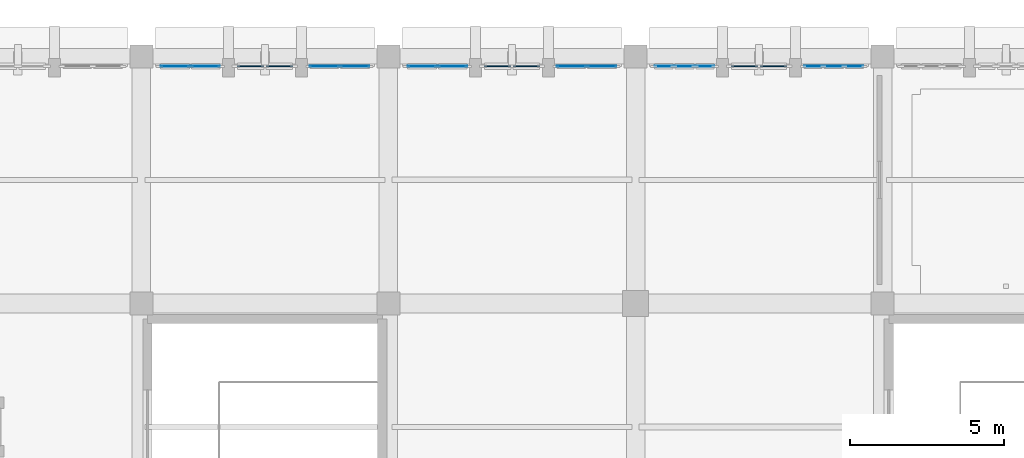
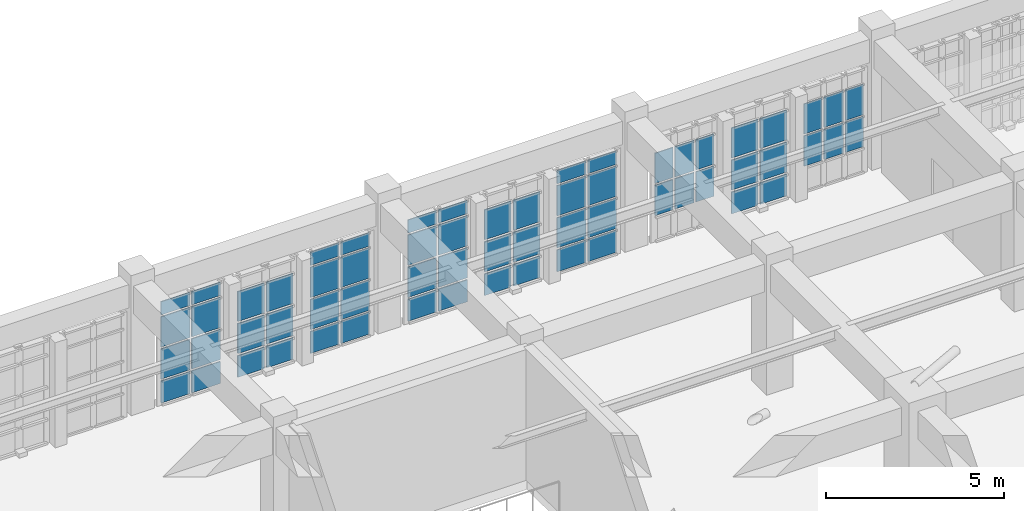
# One storey, part 106 of 155: 62 plates, 9 elements without a shape of their own.
"""IFC4 building model written with IfcOpenShell, lengths in metres."""

from ifc_helpers import new_model, si_unit, direction, frame, origin, origin_2d, place, context, subcontext, project, spatial, rectangle, extrude, material, layer, layer_set, type_object, element, aggregate, save


model = new_model("IFC4")

# Units and contexts
model_context = context("Model", 3, precision=1e-05, world=origin(), true_north=direction((0.0, 1.0)))
body_context = subcontext(model_context, "Body", "Model", "MODEL_VIEW")
ifc_project = project(units=[si_unit("LENGTHUNIT", "METRE"), si_unit("AREAUNIT", "SQUARE_METRE"), si_unit("VOLUMEUNIT", "CUBIC_METRE"), si_unit("PLANEANGLEUNIT", "RADIAN"), si_unit("MASSUNIT", "GRAM", prefix="KILO")], contexts=[model_context])

# Site, building, storey
site_placement = place(None, origin())
site = spatial("IfcSite", under=ifc_project, at=site_placement, CompositionType="ELEMENT")
building_placement = place(site_placement, origin())
building = spatial("IfcBuilding", under=site, at=building_placement, Name="Tazarka Park Arena", CompositionType="ELEMENT")
storey_placement = place(building_placement, frame((0.0, 0.0, 5.39990234375)))
storey = spatial("IfcBuildingStorey", under=building, at=storey_placement, Name="L01", CompositionType="ELEMENT", Elevation=5.39990234375)

# Curtain wall, plates
ifc_material_1 = material(Name="Aluminium and low-e glass", Category="aluminium")
ifc_layer_1 = layer(ifc_material_1, 0.179931640625, Name="Aluminium and low-e glass")
ifc_layer_set_1 = layer_set([ifc_layer_1], Name="Aluminium and low-e glass")
curtain_wall_type_1 = type_object("IfcCurtainWallType", Name="CW-09", PredefinedType="NOTDEFINED", material=ifc_layer_set_1)
curtain_wall_1_placement = place(storey_placement, origin())
curtain_wall_1 = element("IfcCurtainWall", 1, at=curtain_wall_1_placement, inside=storey, type_object=curtain_wall_type_1, Name="Curtain Wall CWA-L01-039", PredefinedType="NOTDEFINED")
ifc_material_2 = material(Name="Double low-e insulated glazing", Category="glass")
ifc_layer_2 = layer(ifc_material_2, 0.028076171875, Name="Double low-e insulated glazing")
ifc_layer_set_2 = layer_set([ifc_layer_2], Name="Double low-e insulated glazing")
plate_type_1 = type_object("IfcPlateType", Name="CWP-01", PredefinedType="CURTAIN_PANEL", material=ifc_layer_set_2)
plate_1_placement = place(storey_placement, frame((85.750244140625, 127.679931640625, 0.8828125), z_axis=(0.0, 0.0, 1.0), x_axis=(1.0, 0.0, 0.0)))
plate_1 = element("IfcPlate", 2, at=plate_1_placement, type_object=plate_type_1, Name="CW-09 panel 1.2", PredefinedType="CURTAIN_PANEL", context=body_context, shape_type="SweptSolid", body=[
    extrude(rectangle(XDim=0.5869140625, YDim=0.028076171875, at=origin_2d()), origin(), (0.0, 0.0, 1.0), 1.034912109375),
])
plate_2_placement = place(storey_placement, frame((85.750244140625, 127.679931640625, 1.982421875), z_axis=(0.0, 0.0, 1.0), x_axis=(1.0, 0.0, 0.0)))
plate_2 = element("IfcPlate", 3, at=plate_2_placement, type_object=plate_type_1, Name="CW-09 panel 1.3", PredefinedType="CURTAIN_PANEL", context=body_context, shape_type="SweptSolid", body=[
    extrude(rectangle(XDim=0.5869140625, YDim=0.028076171875, at=origin_2d()), origin(), (0.0, 0.0, 1.0), 1.034912109375),
])
plate_3_placement = place(storey_placement, frame((86.41845703125, 127.679931640625, 0.8828125), z_axis=(0.0, 0.0, 1.0), x_axis=(1.0, 0.0, 0.0)))
plate_3 = element("IfcPlate", 4, at=plate_3_placement, type_object=plate_type_1, Name="CW-09 panel 2.2", PredefinedType="CURTAIN_PANEL", context=body_context, shape_type="SweptSolid", body=[
    extrude(rectangle(XDim=0.619384765625, YDim=0.028076171875, at=origin_2d()), origin(), (0.0, 0.0, 1.0), 1.034912109375),
])
plate_4_placement = place(storey_placement, frame((86.41845703125, 127.679931640625, 1.982421875), z_axis=(0.0, 0.0, 1.0), x_axis=(1.0, 0.0, 0.0)))
plate_4 = element("IfcPlate", 5, at=plate_4_placement, type_object=plate_type_1, Name="CW-09 panel 2.3", PredefinedType="CURTAIN_PANEL", context=body_context, shape_type="SweptSolid", body=[
    extrude(rectangle(XDim=0.619384765625, YDim=0.028076171875, at=origin_2d()), origin(), (0.0, 0.0, 1.0), 1.034912109375),
])
plate_5_placement = place(storey_placement, frame((87.08642578125, 127.679931640625, 0.8828125), z_axis=(0.0, 0.0, 1.0), x_axis=(1.0, 0.0, 0.0)))
plate_5 = element("IfcPlate", 6, at=plate_5_placement, type_object=plate_type_1, Name="CW-09 panel 3.2", PredefinedType="CURTAIN_PANEL", context=body_context, shape_type="SweptSolid", body=[
    extrude(rectangle(XDim=0.5869140625, YDim=0.028076171875, at=origin_2d()), origin(), (0.0, 0.0, 1.0), 1.034912109375),
])
plate_6_placement = place(storey_placement, frame((87.08642578125, 127.679931640625, 1.982421875), z_axis=(0.0, 0.0, 1.0), x_axis=(1.0, 0.0, 0.0)))
plate_6 = element("IfcPlate", 7, at=plate_6_placement, type_object=plate_type_1, Name="CW-09 panel 3.3", PredefinedType="CURTAIN_PANEL", context=body_context, shape_type="SweptSolid", body=[
    extrude(rectangle(XDim=0.5869140625, YDim=0.028076171875, at=origin_2d()), origin(), (0.0, 0.0, 1.0), 1.034912109375),
])
aggregate(curtain_wall_1, [plate_1, plate_2, plate_3, plate_4, plate_5, plate_6])

ifc_material_3 = material(Name="Aluminium and low-e glass", Category="aluminium")
ifc_layer_3 = layer(ifc_material_3, 0.179931640625, Name="Aluminium and low-e glass")
ifc_layer_set_3 = layer_set([ifc_layer_3], Name="Aluminium and low-e glass")
curtain_wall_type_2 = type_object("IfcCurtainWallType", Name="CW-12", PredefinedType="NOTDEFINED", material=ifc_layer_set_3)
curtain_wall_2_placement = place(storey_placement, origin())
curtain_wall_2 = element("IfcCurtainWall", 8, at=curtain_wall_2_placement, inside=storey, type_object=curtain_wall_type_2, Name="Curtain Wall CWA-L01-042", PredefinedType="NOTDEFINED")
plate_7_placement = place(storey_placement, frame((77.92138671875, 127.679931640625, 0.065185546875), z_axis=(0.0, 0.0, 1.0), x_axis=(1.0, 0.0, 0.0)))
plate_7 = element("IfcPlate", 9, at=plate_7_placement, type_object=plate_type_1, Name="CW-12 panel 1.1", PredefinedType="CURTAIN_PANEL", context=body_context, shape_type="SweptSolid", body=[
    extrude(rectangle(XDim=0.92919921875, YDim=0.028076171875, at=origin_2d()), origin(), (0.0, 0.0, 1.0), 0.75244140625),
])
plate_8_placement = place(storey_placement, frame((77.92138671875, 127.679931640625, 0.8828125), z_axis=(0.0, 0.0, 1.0), x_axis=(1.0, 0.0, 0.0)))
plate_8 = element("IfcPlate", 10, at=plate_8_placement, type_object=plate_type_1, Name="CW-12 panel 1.2", PredefinedType="CURTAIN_PANEL", context=body_context, shape_type="SweptSolid", body=[
    extrude(rectangle(XDim=0.92919921875, YDim=0.028076171875, at=origin_2d()), origin(), (0.0, 0.0, 1.0), 1.034912109375),
])
plate_9_placement = place(storey_placement, frame((77.92138671875, 127.679931640625, 1.982421875), z_axis=(0.0, 0.0, 1.0), x_axis=(1.0, 0.0, 0.0)))
plate_9 = element("IfcPlate", 11, at=plate_9_placement, type_object=plate_type_1, Name="CW-12 panel 1.3", PredefinedType="CURTAIN_PANEL", context=body_context, shape_type="SweptSolid", body=[
    extrude(rectangle(XDim=0.92919921875, YDim=0.028076171875, at=origin_2d()), origin(), (0.0, 0.0, 1.0), 1.034912109375),
])
plate_10_placement = place(storey_placement, frame((77.92138671875, 127.679931640625, 3.08251953125), z_axis=(0.0, 0.0, 1.0), x_axis=(1.0, 0.0, 0.0)))
plate_10 = element("IfcPlate", 12, at=plate_10_placement, type_object=plate_type_1, Name="CW-12 panel 1.4", PredefinedType="CURTAIN_PANEL", context=body_context, shape_type="SweptSolid", body=[
    extrude(rectangle(XDim=0.92919921875, YDim=0.028076171875, at=origin_2d()), origin(), (0.0, 0.0, 1.0), 0.452392578125),
])
plate_11_placement = place(storey_placement, frame((78.91552734375, 127.679931640625, 0.065185546875), z_axis=(0.0, 0.0, 1.0), x_axis=(1.0, 0.0, 0.0)))
plate_11 = element("IfcPlate", 13, at=plate_11_placement, type_object=plate_type_1, Name="CW-12 panel 2.1", PredefinedType="CURTAIN_PANEL", context=body_context, shape_type="SweptSolid", body=[
    extrude(rectangle(XDim=0.92919921875, YDim=0.028076171875, at=origin_2d()), origin(), (0.0, 0.0, 1.0), 0.75244140625),
])
plate_12_placement = place(storey_placement, frame((78.91552734375, 127.679931640625, 0.8828125), z_axis=(0.0, 0.0, 1.0), x_axis=(1.0, 0.0, 0.0)))
plate_12 = element("IfcPlate", 14, at=plate_12_placement, type_object=plate_type_1, Name="CW-12 panel 2.2", PredefinedType="CURTAIN_PANEL", context=body_context, shape_type="SweptSolid", body=[
    extrude(rectangle(XDim=0.92919921875, YDim=0.028076171875, at=origin_2d()), origin(), (0.0, 0.0, 1.0), 1.034912109375),
])
plate_13_placement = place(storey_placement, frame((78.91552734375, 127.679931640625, 1.982421875), z_axis=(0.0, 0.0, 1.0), x_axis=(1.0, 0.0, 0.0)))
plate_13 = element("IfcPlate", 15, at=plate_13_placement, type_object=plate_type_1, Name="CW-12 panel 2.3", PredefinedType="CURTAIN_PANEL", context=body_context, shape_type="SweptSolid", body=[
    extrude(rectangle(XDim=0.92919921875, YDim=0.028076171875, at=origin_2d()), origin(), (0.0, 0.0, 1.0), 1.034912109375),
])
plate_14_placement = place(storey_placement, frame((78.91552734375, 127.679931640625, 3.08251953125), z_axis=(0.0, 0.0, 1.0), x_axis=(1.0, 0.0, 0.0)))
plate_14 = element("IfcPlate", 16, at=plate_14_placement, type_object=plate_type_1, Name="CW-12 panel 2.4", PredefinedType="CURTAIN_PANEL", context=body_context, shape_type="SweptSolid", body=[
    extrude(rectangle(XDim=0.92919921875, YDim=0.028076171875, at=origin_2d()), origin(), (0.0, 0.0, 1.0), 0.452392578125),
])
aggregate(curtain_wall_2, [plate_7, plate_8, plate_9, plate_10, plate_11, plate_12, plate_13, plate_14])

ifc_material_4 = material(Name="Aluminium and low-e glass", Category="aluminium")
ifc_layer_4 = layer(ifc_material_4, 0.179931640625, Name="Aluminium and low-e glass")
ifc_layer_set_4 = layer_set([ifc_layer_4], Name="Aluminium and low-e glass")
curtain_wall_type_3 = type_object("IfcCurtainWallType", Name="CW-15", PredefinedType="NOTDEFINED", material=ifc_layer_set_4)
curtain_wall_3_placement = place(storey_placement, origin())
curtain_wall_3 = element("IfcCurtainWall", 17, at=curtain_wall_3_placement, inside=storey, type_object=curtain_wall_type_3, Name="Curtain Wall CWA-L01-045", PredefinedType="NOTDEFINED")
plate_15_placement = place(storey_placement, frame((69.92138671875, 127.679931640625, 0.065185546875), z_axis=(0.0, 0.0, 1.0), x_axis=(1.0, 0.0, 0.0)))
plate_15 = element("IfcPlate", 18, at=plate_15_placement, type_object=plate_type_1, Name="CW-15 panel 1.1", PredefinedType="CURTAIN_PANEL", context=body_context, shape_type="SweptSolid", body=[
    extrude(rectangle(XDim=0.92919921875, YDim=0.028076171875, at=origin_2d()), origin(), (0.0, 0.0, 1.0), 0.75244140625),
])
plate_16_placement = place(storey_placement, frame((69.92138671875, 127.679931640625, 0.8828125), z_axis=(0.0, 0.0, 1.0), x_axis=(1.0, 0.0, 0.0)))
plate_16 = element("IfcPlate", 19, at=plate_16_placement, type_object=plate_type_1, Name="CW-15 panel 1.2", PredefinedType="CURTAIN_PANEL", context=body_context, shape_type="SweptSolid", body=[
    extrude(rectangle(XDim=0.92919921875, YDim=0.028076171875, at=origin_2d()), origin(), (0.0, 0.0, 1.0), 1.034912109375),
])
plate_17_placement = place(storey_placement, frame((69.92138671875, 127.679931640625, 1.982421875), z_axis=(0.0, 0.0, 1.0), x_axis=(1.0, 0.0, 0.0)))
plate_17 = element("IfcPlate", 20, at=plate_17_placement, type_object=plate_type_1, Name="CW-15 panel 1.3", PredefinedType="CURTAIN_PANEL", context=body_context, shape_type="SweptSolid", body=[
    extrude(rectangle(XDim=0.92919921875, YDim=0.028076171875, at=origin_2d()), origin(), (0.0, 0.0, 1.0), 1.034912109375),
])
plate_18_placement = place(storey_placement, frame((69.92138671875, 127.679931640625, 3.08251953125), z_axis=(0.0, 0.0, 1.0), x_axis=(1.0, 0.0, 0.0)))
plate_18 = element("IfcPlate", 21, at=plate_18_placement, type_object=plate_type_1, Name="CW-15 panel 1.4", PredefinedType="CURTAIN_PANEL", context=body_context, shape_type="SweptSolid", body=[
    extrude(rectangle(XDim=0.92919921875, YDim=0.028076171875, at=origin_2d()), origin(), (0.0, 0.0, 1.0), 0.452392578125),
])
plate_19_placement = place(storey_placement, frame((70.91552734375, 127.679931640625, 0.065185546875), z_axis=(0.0, 0.0, 1.0), x_axis=(1.0, 0.0, 0.0)))
plate_19 = element("IfcPlate", 22, at=plate_19_placement, type_object=plate_type_1, Name="CW-15 panel 2.1", PredefinedType="CURTAIN_PANEL", context=body_context, shape_type="SweptSolid", body=[
    extrude(rectangle(XDim=0.92919921875, YDim=0.028076171875, at=origin_2d()), origin(), (0.0, 0.0, 1.0), 0.75244140625),
])
plate_20_placement = place(storey_placement, frame((70.91552734375, 127.679931640625, 0.8828125), z_axis=(0.0, 0.0, 1.0), x_axis=(1.0, 0.0, 0.0)))
plate_20 = element("IfcPlate", 23, at=plate_20_placement, type_object=plate_type_1, Name="CW-15 panel 2.2", PredefinedType="CURTAIN_PANEL", context=body_context, shape_type="SweptSolid", body=[
    extrude(rectangle(XDim=0.92919921875, YDim=0.028076171875, at=origin_2d()), origin(), (0.0, 0.0, 1.0), 1.034912109375),
])
plate_21_placement = place(storey_placement, frame((70.91552734375, 127.679931640625, 1.982421875), z_axis=(0.0, 0.0, 1.0), x_axis=(1.0, 0.0, 0.0)))
plate_21 = element("IfcPlate", 24, at=plate_21_placement, type_object=plate_type_1, Name="CW-15 panel 2.3", PredefinedType="CURTAIN_PANEL", context=body_context, shape_type="SweptSolid", body=[
    extrude(rectangle(XDim=0.92919921875, YDim=0.028076171875, at=origin_2d()), origin(), (0.0, 0.0, 1.0), 1.034912109375),
])
plate_22_placement = place(storey_placement, frame((70.91552734375, 127.679931640625, 3.08251953125), z_axis=(0.0, 0.0, 1.0), x_axis=(1.0, 0.0, 0.0)))
plate_22 = element("IfcPlate", 25, at=plate_22_placement, type_object=plate_type_1, Name="CW-15 panel 2.4", PredefinedType="CURTAIN_PANEL", context=body_context, shape_type="SweptSolid", body=[
    extrude(rectangle(XDim=0.92919921875, YDim=0.028076171875, at=origin_2d()), origin(), (0.0, 0.0, 1.0), 0.452392578125),
])
aggregate(curtain_wall_3, [plate_15, plate_16, plate_17, plate_18, plate_19, plate_20, plate_21, plate_22])

ifc_material_5 = material(Name="Aluminium and low-e glass", Category="aluminium")
ifc_layer_5 = layer(ifc_material_5, 0.179931640625, Name="Aluminium and low-e glass")
ifc_layer_set_5 = layer_set([ifc_layer_5], Name="Aluminium and low-e glass")
curtain_wall_type_4 = type_object("IfcCurtainWallType", Name="CW-07", PredefinedType="NOTDEFINED", material=ifc_layer_set_5)
curtain_wall_4_placement = place(storey_placement, origin())
curtain_wall_4 = element("IfcCurtainWall", 26, at=curtain_wall_4_placement, inside=storey, type_object=curtain_wall_type_4, Name="Curtain Wall CWA-L01-037", PredefinedType="NOTDEFINED")
ifc_material_6 = material(Name="Triple acoustic solar glazing", Category="glass")
ifc_layer_6 = layer(ifc_material_6, 0.031982421875, Name="Triple acoustic solar glazing")
ifc_layer_set_6 = layer_set([ifc_layer_6], Name="Triple acoustic solar glazing")
plate_type_2 = type_object("IfcPlateType", Name="CWP-02", PredefinedType="CURTAIN_PANEL", material=ifc_layer_set_6)
plate_23_placement = place(storey_placement, frame((80.91357421875, 127.679931640625, 0.8828125), z_axis=(0.0, 0.0, 1.0), x_axis=(1.0, 0.0, 0.0)))
plate_23 = element("IfcPlate", 27, at=plate_23_placement, type_object=plate_type_2, Name="CW-07 panel 1.2", PredefinedType="CURTAIN_PANEL", context=body_context, shape_type="SweptSolid", body=[
    extrude(rectangle(XDim=0.5869140625, YDim=0.031982421875, at=origin_2d()), origin(), (0.0, 0.0, 1.0), 1.034912109375),
])
plate_24_placement = place(storey_placement, frame((80.91357421875, 127.679931640625, 1.982421875), z_axis=(0.0, 0.0, 1.0), x_axis=(1.0, 0.0, 0.0)))
plate_24 = element("IfcPlate", 28, at=plate_24_placement, type_object=plate_type_2, Name="CW-07 panel 1.3", PredefinedType="CURTAIN_PANEL", context=body_context, shape_type="SweptSolid", body=[
    extrude(rectangle(XDim=0.5869140625, YDim=0.031982421875, at=origin_2d()), origin(), (0.0, 0.0, 1.0), 1.034912109375),
])
plate_25_placement = place(storey_placement, frame((81.58154296875, 127.679931640625, 0.8828125), z_axis=(0.0, 0.0, 1.0), x_axis=(1.0, 0.0, 0.0)))
plate_25 = element("IfcPlate", 29, at=plate_25_placement, type_object=plate_type_2, Name="CW-07 panel 2.2", PredefinedType="CURTAIN_PANEL", context=body_context, shape_type="SweptSolid", body=[
    extrude(rectangle(XDim=0.619384765625, YDim=0.031982421875, at=origin_2d()), origin(), (0.0, 0.0, 1.0), 1.034912109375),
])
plate_26_placement = place(storey_placement, frame((81.58154296875, 127.679931640625, 1.982421875), z_axis=(0.0, 0.0, 1.0), x_axis=(1.0, 0.0, 0.0)))
plate_26 = element("IfcPlate", 30, at=plate_26_placement, type_object=plate_type_2, Name="CW-07 panel 2.3", PredefinedType="CURTAIN_PANEL", context=body_context, shape_type="SweptSolid", body=[
    extrude(rectangle(XDim=0.619384765625, YDim=0.031982421875, at=origin_2d()), origin(), (0.0, 0.0, 1.0), 1.034912109375),
])
plate_27_placement = place(storey_placement, frame((82.249755859375, 127.679931640625, 0.8828125), z_axis=(0.0, 0.0, 1.0), x_axis=(1.0, 0.0, 0.0)))
plate_27 = element("IfcPlate", 31, at=plate_27_placement, type_object=plate_type_2, Name="CW-07 panel 3.2", PredefinedType="CURTAIN_PANEL", context=body_context, shape_type="SweptSolid", body=[
    extrude(rectangle(XDim=0.5869140625, YDim=0.031982421875, at=origin_2d()), origin(), (0.0, 0.0, 1.0), 1.034912109375),
])
plate_28_placement = place(storey_placement, frame((82.249755859375, 127.679931640625, 1.982421875), z_axis=(0.0, 0.0, 1.0), x_axis=(1.0, 0.0, 0.0)))
plate_28 = element("IfcPlate", 32, at=plate_28_placement, type_object=plate_type_2, Name="CW-07 panel 3.3", PredefinedType="CURTAIN_PANEL", context=body_context, shape_type="SweptSolid", body=[
    extrude(rectangle(XDim=0.5869140625, YDim=0.031982421875, at=origin_2d()), origin(), (0.0, 0.0, 1.0), 1.034912109375),
])
aggregate(curtain_wall_4, [plate_23, plate_24, plate_25, plate_26, plate_27, plate_28])

ifc_material_7 = material(Name="Aluminium and low-e glass", Category="aluminium")
ifc_layer_7 = layer(ifc_material_7, 0.179931640625, Name="Aluminium and low-e glass")
ifc_layer_set_7 = layer_set([ifc_layer_7], Name="Aluminium and low-e glass")
curtain_wall_type_5 = type_object("IfcCurtainWallType", Name="CW-10", PredefinedType="NOTDEFINED", material=ifc_layer_set_7)
curtain_wall_5_placement = place(storey_placement, origin())
curtain_wall_5 = element("IfcCurtainWall", 33, at=curtain_wall_5_placement, inside=storey, type_object=curtain_wall_type_5, Name="Curtain Wall CWA-L01-040", PredefinedType="NOTDEFINED")
plate_29_placement = place(storey_placement, frame((73.08447265625, 127.679931640625, 0.065185546875), z_axis=(0.0, 0.0, 1.0), x_axis=(1.0, 0.0, 0.0)))
plate_29 = element("IfcPlate", 34, at=plate_29_placement, type_object=plate_type_2, Name="CW-10 panel 1.1", PredefinedType="CURTAIN_PANEL", context=body_context, shape_type="SweptSolid", body=[
    extrude(rectangle(XDim=0.92919921875, YDim=0.031982421875, at=origin_2d()), origin(), (0.0, 0.0, 1.0), 0.75244140625),
])
plate_30_placement = place(storey_placement, frame((73.08447265625, 127.679931640625, 0.8828125), z_axis=(0.0, 0.0, 1.0), x_axis=(1.0, 0.0, 0.0)))
plate_30 = element("IfcPlate", 35, at=plate_30_placement, type_object=plate_type_2, Name="CW-10 panel 1.2", PredefinedType="CURTAIN_PANEL", context=body_context, shape_type="SweptSolid", body=[
    extrude(rectangle(XDim=0.92919921875, YDim=0.031982421875, at=origin_2d()), origin(), (0.0, 0.0, 1.0), 1.034912109375),
])
plate_31_placement = place(storey_placement, frame((73.08447265625, 127.679931640625, 1.982421875), z_axis=(0.0, 0.0, 1.0), x_axis=(1.0, 0.0, 0.0)))
plate_31 = element("IfcPlate", 36, at=plate_31_placement, type_object=plate_type_2, Name="CW-10 panel 1.3", PredefinedType="CURTAIN_PANEL", context=body_context, shape_type="SweptSolid", body=[
    extrude(rectangle(XDim=0.92919921875, YDim=0.031982421875, at=origin_2d()), origin(), (0.0, 0.0, 1.0), 1.034912109375),
])
plate_32_placement = place(storey_placement, frame((73.08447265625, 127.679931640625, 3.08251953125), z_axis=(0.0, 0.0, 1.0), x_axis=(1.0, 0.0, 0.0)))
plate_32 = element("IfcPlate", 37, at=plate_32_placement, type_object=plate_type_2, Name="CW-10 panel 1.4", PredefinedType="CURTAIN_PANEL", context=body_context, shape_type="SweptSolid", body=[
    extrude(rectangle(XDim=0.92919921875, YDim=0.031982421875, at=origin_2d()), origin(), (0.0, 0.0, 1.0), 0.452392578125),
])
plate_33_placement = place(storey_placement, frame((74.07861328125, 127.679931640625, 0.065185546875), z_axis=(0.0, 0.0, 1.0), x_axis=(1.0, 0.0, 0.0)))
plate_33 = element("IfcPlate", 38, at=plate_33_placement, type_object=plate_type_2, Name="CW-10 panel 2.1", PredefinedType="CURTAIN_PANEL", context=body_context, shape_type="SweptSolid", body=[
    extrude(rectangle(XDim=0.92919921875, YDim=0.031982421875, at=origin_2d()), origin(), (0.0, 0.0, 1.0), 0.75244140625),
])
plate_34_placement = place(storey_placement, frame((74.07861328125, 127.679931640625, 0.8828125), z_axis=(0.0, 0.0, 1.0), x_axis=(1.0, 0.0, 0.0)))
plate_34 = element("IfcPlate", 39, at=plate_34_placement, type_object=plate_type_2, Name="CW-10 panel 2.2", PredefinedType="CURTAIN_PANEL", context=body_context, shape_type="SweptSolid", body=[
    extrude(rectangle(XDim=0.92919921875, YDim=0.031982421875, at=origin_2d()), origin(), (0.0, 0.0, 1.0), 1.034912109375),
])
plate_35_placement = place(storey_placement, frame((74.07861328125, 127.679931640625, 1.982421875), z_axis=(0.0, 0.0, 1.0), x_axis=(1.0, 0.0, 0.0)))
plate_35 = element("IfcPlate", 40, at=plate_35_placement, type_object=plate_type_2, Name="CW-10 panel 2.3", PredefinedType="CURTAIN_PANEL", context=body_context, shape_type="SweptSolid", body=[
    extrude(rectangle(XDim=0.92919921875, YDim=0.031982421875, at=origin_2d()), origin(), (0.0, 0.0, 1.0), 1.034912109375),
])
plate_36_placement = place(storey_placement, frame((74.07861328125, 127.679931640625, 3.08251953125), z_axis=(0.0, 0.0, 1.0), x_axis=(1.0, 0.0, 0.0)))
plate_36 = element("IfcPlate", 41, at=plate_36_placement, type_object=plate_type_2, Name="CW-10 panel 2.4", PredefinedType="CURTAIN_PANEL", context=body_context, shape_type="SweptSolid", body=[
    extrude(rectangle(XDim=0.92919921875, YDim=0.031982421875, at=origin_2d()), origin(), (0.0, 0.0, 1.0), 0.452392578125),
])
aggregate(curtain_wall_5, [plate_29, plate_30, plate_31, plate_32, plate_33, plate_34, plate_35, plate_36])

ifc_material_8 = material(Name="Aluminium and low-e glass", Category="aluminium")
ifc_layer_8 = layer(ifc_material_8, 0.179931640625, Name="Aluminium and low-e glass")
ifc_layer_set_8 = layer_set([ifc_layer_8], Name="Aluminium and low-e glass")
curtain_wall_type_6 = type_object("IfcCurtainWallType", Name="CW-13", PredefinedType="NOTDEFINED", material=ifc_layer_set_8)
curtain_wall_6_placement = place(storey_placement, origin())
curtain_wall_6 = element("IfcCurtainWall", 42, at=curtain_wall_6_placement, inside=storey, type_object=curtain_wall_type_6, Name="Curtain Wall CWA-L01-043", PredefinedType="NOTDEFINED")
plate_37_placement = place(storey_placement, frame((65.08447265625, 127.679931640625, 0.065185546875), z_axis=(0.0, 0.0, 1.0), x_axis=(1.0, 0.0, 0.0)))
plate_37 = element("IfcPlate", 43, at=plate_37_placement, type_object=plate_type_2, Name="CW-13 panel 1.1", PredefinedType="CURTAIN_PANEL", context=body_context, shape_type="SweptSolid", body=[
    extrude(rectangle(XDim=0.92919921875, YDim=0.031982421875, at=origin_2d()), origin(), (0.0, 0.0, 1.0), 0.75244140625),
])
plate_38_placement = place(storey_placement, frame((65.08447265625, 127.679931640625, 0.8828125), z_axis=(0.0, 0.0, 1.0), x_axis=(1.0, 0.0, 0.0)))
plate_38 = element("IfcPlate", 44, at=plate_38_placement, type_object=plate_type_2, Name="CW-13 panel 1.2", PredefinedType="CURTAIN_PANEL", context=body_context, shape_type="SweptSolid", body=[
    extrude(rectangle(XDim=0.92919921875, YDim=0.031982421875, at=origin_2d()), origin(), (0.0, 0.0, 1.0), 1.034912109375),
])
plate_39_placement = place(storey_placement, frame((65.08447265625, 127.679931640625, 1.982421875), z_axis=(0.0, 0.0, 1.0), x_axis=(1.0, 0.0, 0.0)))
plate_39 = element("IfcPlate", 45, at=plate_39_placement, type_object=plate_type_2, Name="CW-13 panel 1.3", PredefinedType="CURTAIN_PANEL", context=body_context, shape_type="SweptSolid", body=[
    extrude(rectangle(XDim=0.92919921875, YDim=0.031982421875, at=origin_2d()), origin(), (0.0, 0.0, 1.0), 1.034912109375),
])
plate_40_placement = place(storey_placement, frame((65.08447265625, 127.679931640625, 3.08251953125), z_axis=(0.0, 0.0, 1.0), x_axis=(1.0, 0.0, 0.0)))
plate_40 = element("IfcPlate", 46, at=plate_40_placement, type_object=plate_type_2, Name="CW-13 panel 1.4", PredefinedType="CURTAIN_PANEL", context=body_context, shape_type="SweptSolid", body=[
    extrude(rectangle(XDim=0.92919921875, YDim=0.031982421875, at=origin_2d()), origin(), (0.0, 0.0, 1.0), 0.452392578125),
])
plate_41_placement = place(storey_placement, frame((66.07861328125, 127.679931640625, 0.065185546875), z_axis=(0.0, 0.0, 1.0), x_axis=(1.0, 0.0, 0.0)))
plate_41 = element("IfcPlate", 47, at=plate_41_placement, type_object=plate_type_2, Name="CW-13 panel 2.1", PredefinedType="CURTAIN_PANEL", context=body_context, shape_type="SweptSolid", body=[
    extrude(rectangle(XDim=0.92919921875, YDim=0.031982421875, at=origin_2d()), origin(), (0.0, 0.0, 1.0), 0.75244140625),
])
plate_42_placement = place(storey_placement, frame((66.07861328125, 127.679931640625, 0.8828125), z_axis=(0.0, 0.0, 1.0), x_axis=(1.0, 0.0, 0.0)))
plate_42 = element("IfcPlate", 48, at=plate_42_placement, type_object=plate_type_2, Name="CW-13 panel 2.2", PredefinedType="CURTAIN_PANEL", context=body_context, shape_type="SweptSolid", body=[
    extrude(rectangle(XDim=0.92919921875, YDim=0.031982421875, at=origin_2d()), origin(), (0.0, 0.0, 1.0), 1.034912109375),
])
plate_43_placement = place(storey_placement, frame((66.07861328125, 127.679931640625, 1.982421875), z_axis=(0.0, 0.0, 1.0), x_axis=(1.0, 0.0, 0.0)))
plate_43 = element("IfcPlate", 49, at=plate_43_placement, type_object=plate_type_2, Name="CW-13 panel 2.3", PredefinedType="CURTAIN_PANEL", context=body_context, shape_type="SweptSolid", body=[
    extrude(rectangle(XDim=0.92919921875, YDim=0.031982421875, at=origin_2d()), origin(), (0.0, 0.0, 1.0), 1.034912109375),
])
plate_44_placement = place(storey_placement, frame((66.07861328125, 127.679931640625, 3.08251953125), z_axis=(0.0, 0.0, 1.0), x_axis=(1.0, 0.0, 0.0)))
plate_44 = element("IfcPlate", 50, at=plate_44_placement, type_object=plate_type_2, Name="CW-13 panel 2.4", PredefinedType="CURTAIN_PANEL", context=body_context, shape_type="SweptSolid", body=[
    extrude(rectangle(XDim=0.92919921875, YDim=0.031982421875, at=origin_2d()), origin(), (0.0, 0.0, 1.0), 0.452392578125),
])
aggregate(curtain_wall_6, [plate_37, plate_38, plate_39, plate_40, plate_41, plate_42, plate_43, plate_44])

ifc_material_9 = material(Name="Aluminium and low-e glass", Category="aluminium")
ifc_layer_9 = layer(ifc_material_9, 0.179931640625, Name="Aluminium and low-e glass")
ifc_layer_set_9 = layer_set([ifc_layer_9], Name="Aluminium and low-e glass")
curtain_wall_type_7 = type_object("IfcCurtainWallType", Name="CW-08", PredefinedType="NOTDEFINED", material=ifc_layer_set_9)
curtain_wall_7_placement = place(storey_placement, origin())
curtain_wall_7 = element("IfcCurtainWall", 51, at=curtain_wall_7_placement, inside=storey, type_object=curtain_wall_type_7, Name="Curtain Wall CWA-L01-038", PredefinedType="NOTDEFINED")
ifc_material_10 = material(Name="Insulated aluminium spandrel panel", Category="aluminium")
ifc_layer_10 = layer(ifc_material_10, 0.035888671875, Name="Insulated aluminium spandrel panel")
ifc_layer_set_10 = layer_set([ifc_layer_10], Name="Insulated aluminium spandrel panel")
plate_type_3 = type_object("IfcPlateType", Name="CWP-03", PredefinedType="CURTAIN_PANEL", material=ifc_layer_set_10)
plate_45_placement = place(storey_placement, frame((83.532958984375, 127.679931640625, 0.0751953125), z_axis=(0.0, 0.0, 1.0), x_axis=(1.0, 0.0, 0.0)))
plate_45 = element("IfcPlate", 52, at=plate_45_placement, type_object=plate_type_3, Name="CW-08 panel 1.1", PredefinedType="CURTAIN_PANEL", context=body_context, shape_type="SweptSolid", body=[
    extrude(rectangle(XDim=0.859130859375, YDim=0.035888671875, at=origin_2d()), origin(), (0.0, 0.0, 1.0), 0.737548828125),
])
plate_46_placement = place(storey_placement, frame((83.532958984375, 127.679931640625, 0.8876953125), z_axis=(0.0, 0.0, 1.0), x_axis=(1.0, 0.0, 0.0)))
plate_46 = element("IfcPlate", 53, at=plate_46_placement, type_object=plate_type_3, Name="CW-08 panel 1.2", PredefinedType="CURTAIN_PANEL", context=body_context, shape_type="SweptSolid", body=[
    extrude(rectangle(XDim=0.859130859375, YDim=0.035888671875, at=origin_2d()), origin(), (0.0, 0.0, 1.0), 1.02490234375),
])
plate_47_placement = place(storey_placement, frame((83.532958984375, 127.679931640625, 1.987548828125), z_axis=(0.0, 0.0, 1.0), x_axis=(1.0, 0.0, 0.0)))
plate_47 = element("IfcPlate", 54, at=plate_47_placement, type_object=plate_type_3, Name="CW-08 panel 1.3", PredefinedType="CURTAIN_PANEL", context=body_context, shape_type="SweptSolid", body=[
    extrude(rectangle(XDim=0.859130859375, YDim=0.035888671875, at=origin_2d()), origin(), (0.0, 0.0, 1.0), 1.02490234375),
])
plate_48_placement = place(storey_placement, frame((84.467041015625, 127.679931640625, 0.0751953125), z_axis=(0.0, 0.0, 1.0), x_axis=(1.0, 0.0, 0.0)))
plate_48 = element("IfcPlate", 55, at=plate_48_placement, type_object=plate_type_3, Name="CW-08 panel 2.1", PredefinedType="CURTAIN_PANEL", context=body_context, shape_type="SweptSolid", body=[
    extrude(rectangle(XDim=0.859130859375, YDim=0.035888671875, at=origin_2d()), origin(), (0.0, 0.0, 1.0), 0.737548828125),
])
plate_49_placement = place(storey_placement, frame((84.467041015625, 127.679931640625, 0.8876953125), z_axis=(0.0, 0.0, 1.0), x_axis=(1.0, 0.0, 0.0)))
plate_49 = element("IfcPlate", 56, at=plate_49_placement, type_object=plate_type_3, Name="CW-08 panel 2.2", PredefinedType="CURTAIN_PANEL", context=body_context, shape_type="SweptSolid", body=[
    extrude(rectangle(XDim=0.859130859375, YDim=0.035888671875, at=origin_2d()), origin(), (0.0, 0.0, 1.0), 1.02490234375),
])
plate_50_placement = place(storey_placement, frame((84.467041015625, 127.679931640625, 1.987548828125), z_axis=(0.0, 0.0, 1.0), x_axis=(1.0, 0.0, 0.0)))
plate_50 = element("IfcPlate", 57, at=plate_50_placement, type_object=plate_type_3, Name="CW-08 panel 2.3", PredefinedType="CURTAIN_PANEL", context=body_context, shape_type="SweptSolid", body=[
    extrude(rectangle(XDim=0.859130859375, YDim=0.035888671875, at=origin_2d()), origin(), (0.0, 0.0, 1.0), 1.02490234375),
])
aggregate(curtain_wall_7, [plate_45, plate_46, plate_47, plate_48, plate_49, plate_50])

ifc_material_11 = material(Name="Aluminium and low-e glass", Category="aluminium")
ifc_layer_11 = layer(ifc_material_11, 0.179931640625, Name="Aluminium and low-e glass")
ifc_layer_set_11 = layer_set([ifc_layer_11], Name="Aluminium and low-e glass")
curtain_wall_type_8 = type_object("IfcCurtainWallType", Name="CW-11", PredefinedType="NOTDEFINED", material=ifc_layer_set_11)
curtain_wall_8_placement = place(storey_placement, origin())
curtain_wall_8 = element("IfcCurtainWall", 58, at=curtain_wall_8_placement, inside=storey, type_object=curtain_wall_type_8, Name="Curtain Wall CWA-L01-041", PredefinedType="NOTDEFINED")
plate_51_placement = place(storey_placement, frame((75.532958984375, 127.679931640625, 0.0751953125), z_axis=(0.0, 0.0, 1.0), x_axis=(1.0, 0.0, 0.0)))
plate_51 = element("IfcPlate", 59, at=plate_51_placement, type_object=plate_type_3, Name="CW-11 panel 1.1", PredefinedType="CURTAIN_PANEL", context=body_context, shape_type="SweptSolid", body=[
    extrude(rectangle(XDim=0.859130859375, YDim=0.035888671875, at=origin_2d()), origin(), (0.0, 0.0, 1.0), 0.737548828125),
])
plate_52_placement = place(storey_placement, frame((75.532958984375, 127.679931640625, 0.8876953125), z_axis=(0.0, 0.0, 1.0), x_axis=(1.0, 0.0, 0.0)))
plate_52 = element("IfcPlate", 60, at=plate_52_placement, type_object=plate_type_3, Name="CW-11 panel 1.2", PredefinedType="CURTAIN_PANEL", context=body_context, shape_type="SweptSolid", body=[
    extrude(rectangle(XDim=0.859130859375, YDim=0.035888671875, at=origin_2d()), origin(), (0.0, 0.0, 1.0), 1.02490234375),
])
plate_53_placement = place(storey_placement, frame((75.532958984375, 127.679931640625, 1.987548828125), z_axis=(0.0, 0.0, 1.0), x_axis=(1.0, 0.0, 0.0)))
plate_53 = element("IfcPlate", 61, at=plate_53_placement, type_object=plate_type_3, Name="CW-11 panel 1.3", PredefinedType="CURTAIN_PANEL", context=body_context, shape_type="SweptSolid", body=[
    extrude(rectangle(XDim=0.859130859375, YDim=0.035888671875, at=origin_2d()), origin(), (0.0, 0.0, 1.0), 1.02490234375),
])
plate_54_placement = place(storey_placement, frame((76.467041015625, 127.679931640625, 0.0751953125), z_axis=(0.0, 0.0, 1.0), x_axis=(1.0, 0.0, 0.0)))
plate_54 = element("IfcPlate", 62, at=plate_54_placement, type_object=plate_type_3, Name="CW-11 panel 2.1", PredefinedType="CURTAIN_PANEL", context=body_context, shape_type="SweptSolid", body=[
    extrude(rectangle(XDim=0.859130859375, YDim=0.035888671875, at=origin_2d()), origin(), (0.0, 0.0, 1.0), 0.737548828125),
])
plate_55_placement = place(storey_placement, frame((76.467041015625, 127.679931640625, 0.8876953125), z_axis=(0.0, 0.0, 1.0), x_axis=(1.0, 0.0, 0.0)))
plate_55 = element("IfcPlate", 63, at=plate_55_placement, type_object=plate_type_3, Name="CW-11 panel 2.2", PredefinedType="CURTAIN_PANEL", context=body_context, shape_type="SweptSolid", body=[
    extrude(rectangle(XDim=0.859130859375, YDim=0.035888671875, at=origin_2d()), origin(), (0.0, 0.0, 1.0), 1.02490234375),
])
plate_56_placement = place(storey_placement, frame((76.467041015625, 127.679931640625, 1.987548828125), z_axis=(0.0, 0.0, 1.0), x_axis=(1.0, 0.0, 0.0)))
plate_56 = element("IfcPlate", 64, at=plate_56_placement, type_object=plate_type_3, Name="CW-11 panel 2.3", PredefinedType="CURTAIN_PANEL", context=body_context, shape_type="SweptSolid", body=[
    extrude(rectangle(XDim=0.859130859375, YDim=0.035888671875, at=origin_2d()), origin(), (0.0, 0.0, 1.0), 1.02490234375),
])
aggregate(curtain_wall_8, [plate_51, plate_52, plate_53, plate_54, plate_55, plate_56])

ifc_material_12 = material(Name="Aluminium and low-e glass", Category="aluminium")
ifc_layer_12 = layer(ifc_material_12, 0.179931640625, Name="Aluminium and low-e glass")
ifc_layer_set_12 = layer_set([ifc_layer_12], Name="Aluminium and low-e glass")
curtain_wall_type_9 = type_object("IfcCurtainWallType", Name="CW-14", PredefinedType="NOTDEFINED", material=ifc_layer_set_12)
curtain_wall_9_placement = place(storey_placement, origin())
curtain_wall_9 = element("IfcCurtainWall", 65, at=curtain_wall_9_placement, inside=storey, type_object=curtain_wall_type_9, Name="Curtain Wall CWA-L01-044", PredefinedType="NOTDEFINED")
plate_57_placement = place(storey_placement, frame((67.532958984375, 127.679931640625, 0.0751953125), z_axis=(0.0, 0.0, 1.0), x_axis=(1.0, 0.0, 0.0)))
plate_57 = element("IfcPlate", 66, at=plate_57_placement, type_object=plate_type_3, Name="CW-14 panel 1.1", PredefinedType="CURTAIN_PANEL", context=body_context, shape_type="SweptSolid", body=[
    extrude(rectangle(XDim=0.859130859375, YDim=0.035888671875, at=origin_2d()), origin(), (0.0, 0.0, 1.0), 0.737548828125),
])
plate_58_placement = place(storey_placement, frame((67.532958984375, 127.679931640625, 0.8876953125), z_axis=(0.0, 0.0, 1.0), x_axis=(1.0, 0.0, 0.0)))
plate_58 = element("IfcPlate", 67, at=plate_58_placement, type_object=plate_type_3, Name="CW-14 panel 1.2", PredefinedType="CURTAIN_PANEL", context=body_context, shape_type="SweptSolid", body=[
    extrude(rectangle(XDim=0.859130859375, YDim=0.035888671875, at=origin_2d()), origin(), (0.0, 0.0, 1.0), 1.02490234375),
])
plate_59_placement = place(storey_placement, frame((67.532958984375, 127.679931640625, 1.987548828125), z_axis=(0.0, 0.0, 1.0), x_axis=(1.0, 0.0, 0.0)))
plate_59 = element("IfcPlate", 68, at=plate_59_placement, type_object=plate_type_3, Name="CW-14 panel 1.3", PredefinedType="CURTAIN_PANEL", context=body_context, shape_type="SweptSolid", body=[
    extrude(rectangle(XDim=0.859130859375, YDim=0.035888671875, at=origin_2d()), origin(), (0.0, 0.0, 1.0), 1.02490234375),
])
plate_60_placement = place(storey_placement, frame((68.467041015625, 127.679931640625, 0.0751953125), z_axis=(0.0, 0.0, 1.0), x_axis=(1.0, 0.0, 0.0)))
plate_60 = element("IfcPlate", 69, at=plate_60_placement, type_object=plate_type_3, Name="CW-14 panel 2.1", PredefinedType="CURTAIN_PANEL", context=body_context, shape_type="SweptSolid", body=[
    extrude(rectangle(XDim=0.859130859375, YDim=0.035888671875, at=origin_2d()), origin(), (0.0, 0.0, 1.0), 0.737548828125),
])
plate_61_placement = place(storey_placement, frame((68.467041015625, 127.679931640625, 0.8876953125), z_axis=(0.0, 0.0, 1.0), x_axis=(1.0, 0.0, 0.0)))
plate_61 = element("IfcPlate", 70, at=plate_61_placement, type_object=plate_type_3, Name="CW-14 panel 2.2", PredefinedType="CURTAIN_PANEL", context=body_context, shape_type="SweptSolid", body=[
    extrude(rectangle(XDim=0.859130859375, YDim=0.035888671875, at=origin_2d()), origin(), (0.0, 0.0, 1.0), 1.02490234375),
])
plate_62_placement = place(storey_placement, frame((68.467041015625, 127.679931640625, 1.987548828125), z_axis=(0.0, 0.0, 1.0), x_axis=(1.0, 0.0, 0.0)))
plate_62 = element("IfcPlate", 71, at=plate_62_placement, type_object=plate_type_3, Name="CW-14 panel 2.3", PredefinedType="CURTAIN_PANEL", context=body_context, shape_type="SweptSolid", body=[
    extrude(rectangle(XDim=0.859130859375, YDim=0.035888671875, at=origin_2d()), origin(), (0.0, 0.0, 1.0), 1.02490234375),
])
aggregate(curtain_wall_9, [plate_57, plate_58, plate_59, plate_60, plate_61, plate_62])

save(model, "model.ifc")
